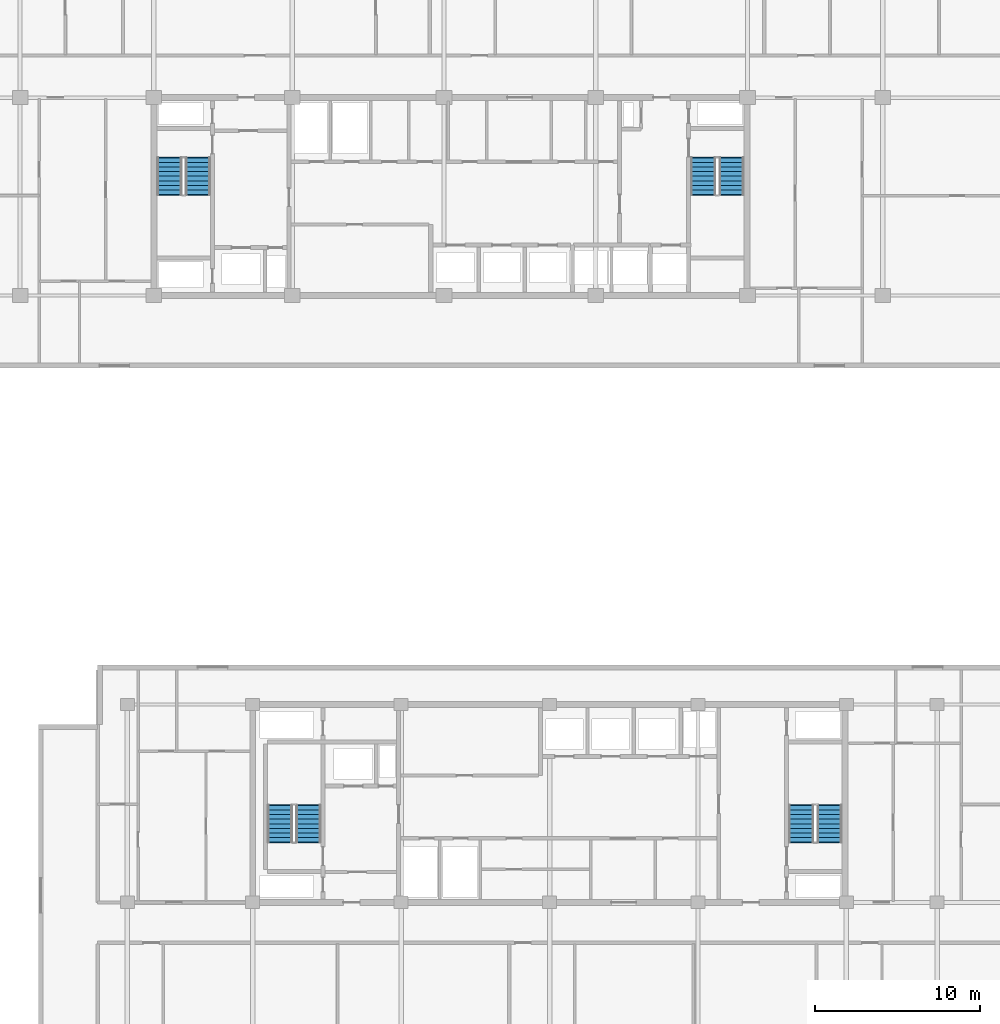
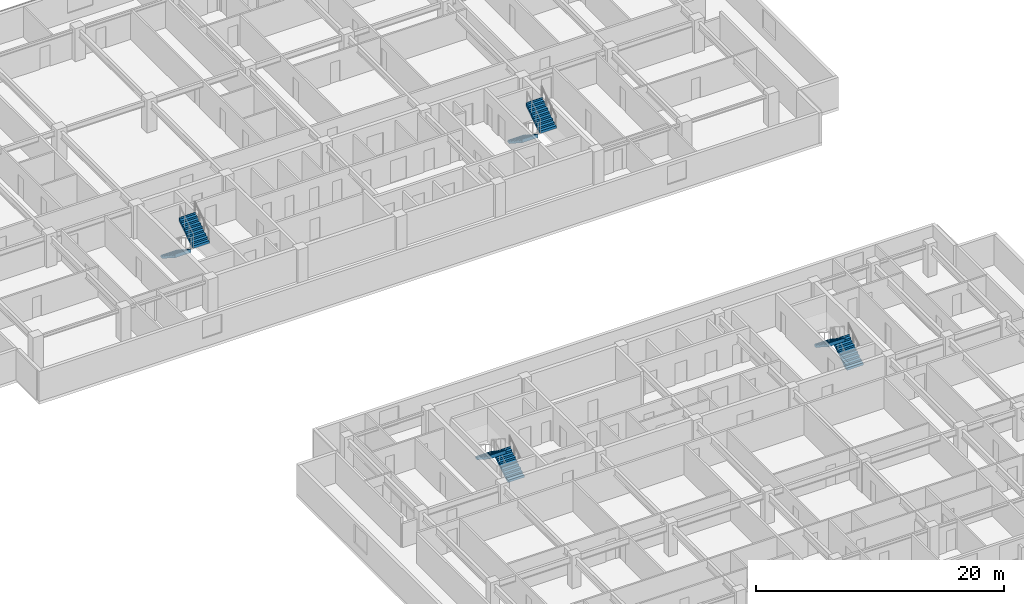
# One storey, part 17 of 22: 8 stair flights, 4 elements without a shape of their own.
"""IFC4 building model written with IfcOpenShell, lengths in metres."""

from ifc_helpers import new_model, si_unit, direction, frame, origin, place, context, subcontext, project, spatial, polyline, outline, extrude, material, type_object, element, aggregate, save


model = new_model("IFC4")

# Units and contexts
model_context = context("Model", 3, precision=1e-05, world=origin(), true_north=direction((0.0, 1.0)))
body_context = subcontext(model_context, "Body", "Model", "MODEL_VIEW")
ifc_project = project(units=[si_unit("LENGTHUNIT", "METRE"), si_unit("AREAUNIT", "SQUARE_METRE"), si_unit("VOLUMEUNIT", "CUBIC_METRE"), si_unit("PLANEANGLEUNIT", "RADIAN"), si_unit("MASSUNIT", "GRAM", prefix="KILO")], contexts=[model_context])

# Site, building, storey
site_placement = place(None, origin())
site = spatial("IfcSite", under=ifc_project, at=site_placement, CompositionType="ELEMENT")
building_placement = place(site_placement, origin())
building = spatial("IfcBuilding", under=site, at=building_placement, Name="Korimba Cascade Residences", CompositionType="ELEMENT")
storey_placement = place(building_placement, frame((0.0, 0.0, 129.550048828125)))
storey = spatial("IfcBuildingStorey", under=building, at=storey_placement, Name="L37", CompositionType="ELEMENT", Elevation=129.550048828125)

# Stair, stair flights
ifc_material = material(Name="Concrete C50/60", Category="concrete")
stair_type_1 = type_object("IfcStairType", Name="STR-W1-18R-1806", PredefinedType="HALF_TURN_STAIR", material=ifc_material)
stair_1_placement = place(storey_placement, origin())
stair_1 = element("IfcStair", 1, at=stair_1_placement, inside=storey, type_object=stair_type_1, Name="L37 Tower 1 West Fire Stair ST-W1", PredefinedType="HALF_TURN_STAIR")
stair_flight_type = type_object("IfcStairFlightType", Name="STF-DL-18R-1806-1520", PredefinedType="STRAIGHT", material=ifc_material)
stair_flight_1_placement = place(storey_placement, frame((77.06005859375, 63.550048828125, 0.0), z_axis=(0.0, 0.0, 1.0), x_axis=(0.0, -1.0, 0.0)))
stair_flight_1 = element("IfcStairFlight", 2, at=stair_flight_1_placement, type_object=stair_flight_type, Name="ST-W1 flight 1", NumberOfRisers=9, NumberOfTreads=8, PredefinedType="STRAIGHT", RiserHeight=0.180555556, TreadLength=0.28, context=body_context, shape_type="SweptSolid", body=[
    extrude(outline(polyline([(-0.0380859375, 0.0), (0.0, 0.1806640625), (0.280029296875, 0.1806640625), (0.280029296875, 0.361083984375), (0.56005859375, 0.361083984375), (0.56005859375, 0.541748046875), (0.840087890625, 0.541748046875), (0.840087890625, 0.72216796875), (1.1201171875, 0.72216796875), (1.1201171875, 0.90283203125), (1.39990234375, 0.90283203125), (1.39990234375, 1.083251953125), (1.679931640625, 1.083251953125), (1.679931640625, 1.263916015625), (1.9599609375, 1.263916015625), (1.9599609375, 1.4443359375), (2.239990234375, 1.4443359375), (2.239990234375, 1.625), (2.278076171875, 1.625), (2.278076171875, 1.26611328125), (0.276611328125, 0.0), (0.276611328125, -0.0380859375), (-0.0380859375, -0.0380859375), (-0.0380859375, 0.0)])), frame((0.0, 0.760009765625, 0.0), z_axis=(0.0, -1.0, 0.0), x_axis=(1.0, 0.0, 0.0)), (0.0, 0.0, 1.0), 1.52001953125),
])
stair_flight_2_placement = place(storey_placement, frame((78.780029296875, 61.31005859375, 1.625), z_axis=(0.0, 0.0, 1.0), x_axis=(0.0, 1.0, 0.0)))
stair_flight_2 = element("IfcStairFlight", 3, at=stair_flight_2_placement, type_object=stair_flight_type, Name="ST-W1 flight 2", NumberOfRisers=9, NumberOfTreads=8, PredefinedType="STRAIGHT", RiserHeight=0.180555556, TreadLength=0.28, context=body_context, shape_type="SweptSolid", body=[
    extrude(outline(polyline([(-0.0380859375, 0.0), (0.0, 0.1806640625), (0.280029296875, 0.1806640625), (0.280029296875, 0.361083984375), (0.56005859375, 0.361083984375), (0.56005859375, 0.541748046875), (0.840087890625, 0.541748046875), (0.840087890625, 0.72216796875), (1.1201171875, 0.72216796875), (1.1201171875, 0.90283203125), (1.39990234375, 0.90283203125), (1.39990234375, 1.083251953125), (1.679931640625, 1.083251953125), (1.679931640625, 1.263916015625), (1.9599609375, 1.263916015625), (1.9599609375, 1.4443359375), (2.239990234375, 1.4443359375), (2.239990234375, 1.625), (2.278076171875, 1.625), (2.278076171875, 1.26611328125), (0.276611328125, 0.0), (0.276611328125, -0.0380859375), (-0.0380859375, -0.0380859375), (-0.0380859375, 0.0)])), frame((0.0, 0.760009765625, 0.0), z_axis=(0.0, -1.0, 0.0), x_axis=(1.0, 0.0, 0.0)), (0.0, 0.0, 1.0), 1.52001953125),
])
aggregate(stair_1, [stair_flight_1, stair_flight_2])

stair_type_2 = type_object("IfcStairType", Name="STR-W2-18R-1806", PredefinedType="HALF_TURN_STAIR", material=ifc_material)
stair_2_placement = place(storey_placement, origin())
stair_2 = element("IfcStair", 4, at=stair_2_placement, inside=storey, type_object=stair_type_2, Name="L37 Tower 1 East Fire Stair ST-W2", PredefinedType="HALF_TURN_STAIR")
stair_flight_3_placement = place(storey_placement, frame((109.419921875, 63.550048828125, 0.0), z_axis=(0.0, 0.0, 1.0), x_axis=(0.0, -1.0, 0.0)))
stair_flight_3 = element("IfcStairFlight", 5, at=stair_flight_3_placement, type_object=stair_flight_type, Name="ST-W2 flight 1", NumberOfRisers=9, NumberOfTreads=8, PredefinedType="STRAIGHT", RiserHeight=0.180555556, TreadLength=0.28, context=body_context, shape_type="SweptSolid", body=[
    extrude(outline(polyline([(-0.0380859375, 0.0), (0.0, 0.1806640625), (0.280029296875, 0.1806640625), (0.280029296875, 0.361083984375), (0.56005859375, 0.361083984375), (0.56005859375, 0.541748046875), (0.840087890625, 0.541748046875), (0.840087890625, 0.72216796875), (1.1201171875, 0.72216796875), (1.1201171875, 0.90283203125), (1.39990234375, 0.90283203125), (1.39990234375, 1.083251953125), (1.679931640625, 1.083251953125), (1.679931640625, 1.263916015625), (1.9599609375, 1.263916015625), (1.9599609375, 1.4443359375), (2.239990234375, 1.4443359375), (2.239990234375, 1.625), (2.278076171875, 1.625), (2.278076171875, 1.26611328125), (0.276611328125, 0.0), (0.276611328125, -0.0380859375), (-0.0380859375, -0.0380859375), (-0.0380859375, 0.0)])), frame((0.0, 0.760009765625, 0.0), z_axis=(0.0, -1.0, 0.0), x_axis=(1.0, 0.0, 0.0)), (0.0, 0.0, 1.0), 1.52001953125),
])
stair_flight_4_placement = place(storey_placement, frame((111.139892578125, 61.31005859375, 1.625), z_axis=(0.0, 0.0, 1.0), x_axis=(0.0, 1.0, 0.0)))
stair_flight_4 = element("IfcStairFlight", 6, at=stair_flight_4_placement, type_object=stair_flight_type, Name="ST-W2 flight 2", NumberOfRisers=9, NumberOfTreads=8, PredefinedType="STRAIGHT", RiserHeight=0.180555556, TreadLength=0.28, context=body_context, shape_type="SweptSolid", body=[
    extrude(outline(polyline([(-0.0380859375, 0.0), (0.0, 0.1806640625), (0.280029296875, 0.1806640625), (0.280029296875, 0.361083984375), (0.56005859375, 0.361083984375), (0.56005859375, 0.541748046875), (0.840087890625, 0.541748046875), (0.840087890625, 0.72216796875), (1.1201171875, 0.72216796875), (1.1201171875, 0.90283203125), (1.39990234375, 0.90283203125), (1.39990234375, 1.083251953125), (1.679931640625, 1.083251953125), (1.679931640625, 1.263916015625), (1.9599609375, 1.263916015625), (1.9599609375, 1.4443359375), (2.239990234375, 1.4443359375), (2.239990234375, 1.625), (2.278076171875, 1.625), (2.278076171875, 1.26611328125), (0.276611328125, 0.0), (0.276611328125, -0.0380859375), (-0.0380859375, -0.0380859375), (-0.0380859375, 0.0)])), frame((0.0, 0.760009765625, 0.0), z_axis=(0.0, -1.0, 0.0), x_axis=(1.0, 0.0, 0.0)), (0.0, 0.0, 1.0), 1.52001953125),
])
aggregate(stair_2, [stair_flight_3, stair_flight_4])

stair_type_3 = type_object("IfcStairType", Name="STR-E1-18R-1806", PredefinedType="HALF_TURN_STAIR", material=ifc_material)
stair_3_placement = place(storey_placement, origin())
stair_3 = element("IfcStair", 7, at=stair_3_placement, inside=storey, type_object=stair_type_3, Name="L37 Tower 2 West Fire Stair ST-E1", PredefinedType="HALF_TURN_STAIR")
stair_flight_5_placement = place(storey_placement, frame((85.47998046875, 22.050048828125, 0.0), z_axis=(0.0, 0.0, 1.0), x_axis=(0.0, 1.0, 0.0)))
stair_flight_5 = element("IfcStairFlight", 8, at=stair_flight_5_placement, type_object=stair_flight_type, Name="ST-E1 flight 1", NumberOfRisers=9, NumberOfTreads=8, PredefinedType="STRAIGHT", RiserHeight=0.180555556, TreadLength=0.28, context=body_context, shape_type="SweptSolid", body=[
    extrude(outline(polyline([(-0.0380859375, 0.0), (0.0, 0.1806640625), (0.280029296875, 0.1806640625), (0.280029296875, 0.361083984375), (0.56005859375, 0.361083984375), (0.56005859375, 0.541748046875), (0.840087890625, 0.541748046875), (0.840087890625, 0.72216796875), (1.1201171875, 0.72216796875), (1.1201171875, 0.90283203125), (1.39990234375, 0.90283203125), (1.39990234375, 1.083251953125), (1.679931640625, 1.083251953125), (1.679931640625, 1.263916015625), (1.9599609375, 1.263916015625), (1.9599609375, 1.4443359375), (2.239990234375, 1.4443359375), (2.239990234375, 1.625), (2.278076171875, 1.625), (2.278076171875, 1.26611328125), (0.276611328125, 0.0), (0.276611328125, -0.0380859375), (-0.0380859375, -0.0380859375), (-0.0380859375, 0.0)])), frame((0.0, 0.760009765625, 0.0), z_axis=(0.0, -1.0, 0.0), x_axis=(1.0, 0.0, 0.0)), (0.0, 0.0, 1.0), 1.52001953125),
])
stair_flight_6_placement = place(storey_placement, frame((83.760009765625, 24.2900390625, 1.625), z_axis=(0.0, 0.0, 1.0), x_axis=(0.0, -1.0, 0.0)))
stair_flight_6 = element("IfcStairFlight", 9, at=stair_flight_6_placement, type_object=stair_flight_type, Name="ST-E1 flight 2", NumberOfRisers=9, NumberOfTreads=8, PredefinedType="STRAIGHT", RiserHeight=0.180555556, TreadLength=0.28, context=body_context, shape_type="SweptSolid", body=[
    extrude(outline(polyline([(-0.0380859375, 0.0), (0.0, 0.1806640625), (0.280029296875, 0.1806640625), (0.280029296875, 0.361083984375), (0.56005859375, 0.361083984375), (0.56005859375, 0.541748046875), (0.840087890625, 0.541748046875), (0.840087890625, 0.72216796875), (1.1201171875, 0.72216796875), (1.1201171875, 0.90283203125), (1.39990234375, 0.90283203125), (1.39990234375, 1.083251953125), (1.679931640625, 1.083251953125), (1.679931640625, 1.263916015625), (1.9599609375, 1.263916015625), (1.9599609375, 1.4443359375), (2.239990234375, 1.4443359375), (2.239990234375, 1.625), (2.278076171875, 1.625), (2.278076171875, 1.26611328125), (0.276611328125, 0.0), (0.276611328125, -0.0380859375), (-0.0380859375, -0.0380859375), (-0.0380859375, 0.0)])), frame((0.0, 0.760009765625, 0.0), z_axis=(0.0, -1.0, 0.0), x_axis=(1.0, 0.0, 0.0)), (0.0, 0.0, 1.0), 1.52001953125),
])
aggregate(stair_3, [stair_flight_5, stair_flight_6])

stair_type_4 = type_object("IfcStairType", Name="STR-E2-18R-1806", PredefinedType="HALF_TURN_STAIR", material=ifc_material)
stair_4_placement = place(storey_placement, origin())
stair_4 = element("IfcStair", 10, at=stair_4_placement, inside=storey, type_object=stair_type_4, Name="L37 Tower 2 East Fire Stair ST-E2", PredefinedType="HALF_TURN_STAIR")
stair_flight_7_placement = place(storey_placement, frame((117.080078125, 22.050048828125, 0.0), z_axis=(0.0, 0.0, 1.0), x_axis=(0.0, 1.0, 0.0)))
stair_flight_7 = element("IfcStairFlight", 11, at=stair_flight_7_placement, type_object=stair_flight_type, Name="ST-E2 flight 1", NumberOfRisers=9, NumberOfTreads=8, PredefinedType="STRAIGHT", RiserHeight=0.180555556, TreadLength=0.28, context=body_context, shape_type="SweptSolid", body=[
    extrude(outline(polyline([(-0.0380859375, 0.0), (0.0, 0.1806640625), (0.280029296875, 0.1806640625), (0.280029296875, 0.361083984375), (0.56005859375, 0.361083984375), (0.56005859375, 0.541748046875), (0.840087890625, 0.541748046875), (0.840087890625, 0.72216796875), (1.1201171875, 0.72216796875), (1.1201171875, 0.90283203125), (1.39990234375, 0.90283203125), (1.39990234375, 1.083251953125), (1.679931640625, 1.083251953125), (1.679931640625, 1.263916015625), (1.9599609375, 1.263916015625), (1.9599609375, 1.4443359375), (2.239990234375, 1.4443359375), (2.239990234375, 1.625), (2.278076171875, 1.625), (2.278076171875, 1.26611328125), (0.276611328125, 0.0), (0.276611328125, -0.0380859375), (-0.0380859375, -0.0380859375), (-0.0380859375, 0.0)])), frame((0.0, 0.760009765625, 0.0), z_axis=(0.0, -1.0, 0.0), x_axis=(1.0, 0.0, 0.0)), (0.0, 0.0, 1.0), 1.52001953125),
])
stair_flight_8_placement = place(storey_placement, frame((115.360107421875, 24.2900390625, 1.625), z_axis=(0.0, 0.0, 1.0), x_axis=(0.0, -1.0, 0.0)))
stair_flight_8 = element("IfcStairFlight", 12, at=stair_flight_8_placement, type_object=stair_flight_type, Name="ST-E2 flight 2", NumberOfRisers=9, NumberOfTreads=8, PredefinedType="STRAIGHT", RiserHeight=0.180555556, TreadLength=0.28, context=body_context, shape_type="SweptSolid", body=[
    extrude(outline(polyline([(-0.0380859375, 0.0), (0.0, 0.1806640625), (0.280029296875, 0.1806640625), (0.280029296875, 0.361083984375), (0.56005859375, 0.361083984375), (0.56005859375, 0.541748046875), (0.840087890625, 0.541748046875), (0.840087890625, 0.72216796875), (1.1201171875, 0.72216796875), (1.1201171875, 0.90283203125), (1.39990234375, 0.90283203125), (1.39990234375, 1.083251953125), (1.679931640625, 1.083251953125), (1.679931640625, 1.263916015625), (1.9599609375, 1.263916015625), (1.9599609375, 1.4443359375), (2.239990234375, 1.4443359375), (2.239990234375, 1.625), (2.278076171875, 1.625), (2.278076171875, 1.26611328125), (0.276611328125, 0.0), (0.276611328125, -0.0380859375), (-0.0380859375, -0.0380859375), (-0.0380859375, 0.0)])), frame((0.0, 0.760009765625, 0.0), z_axis=(0.0, -1.0, 0.0), x_axis=(1.0, 0.0, 0.0)), (0.0, 0.0, 1.0), 1.52001953125),
])
aggregate(stair_4, [stair_flight_7, stair_flight_8])

save(model, "model.ifc")
